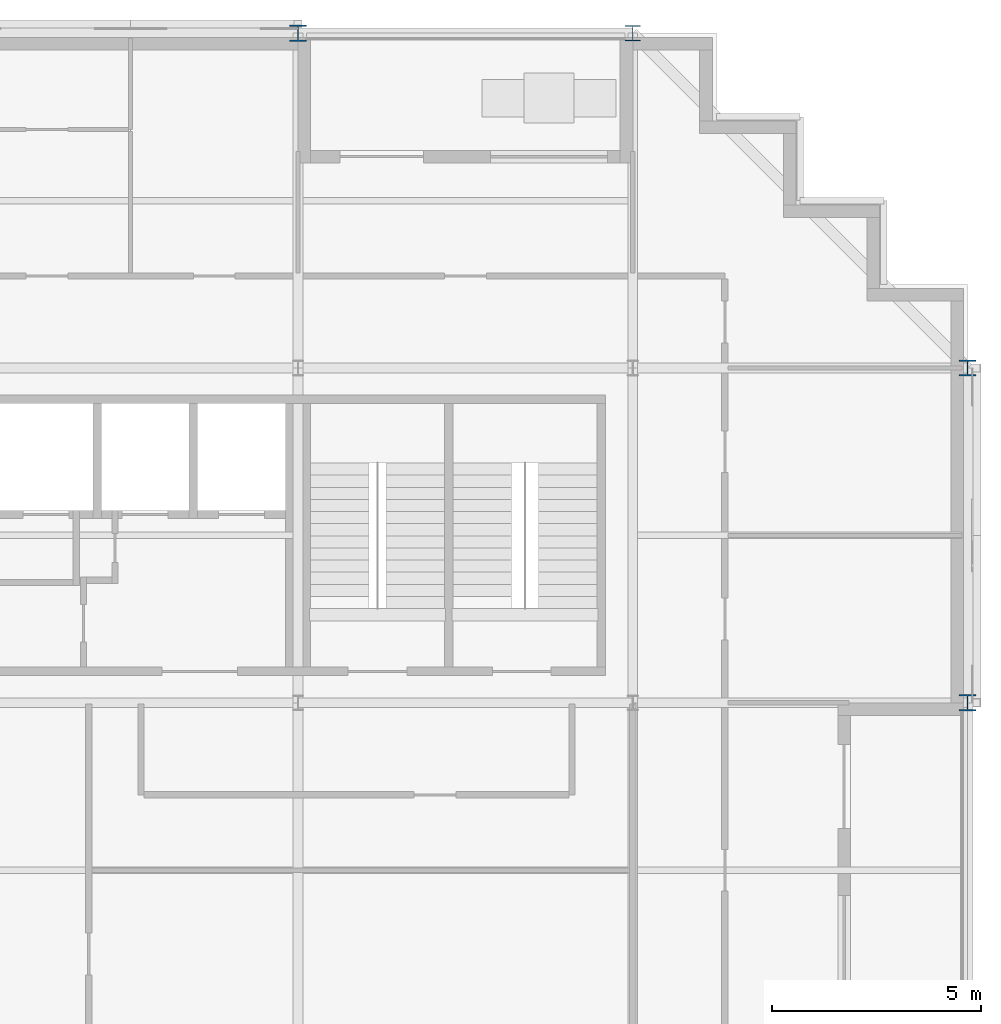
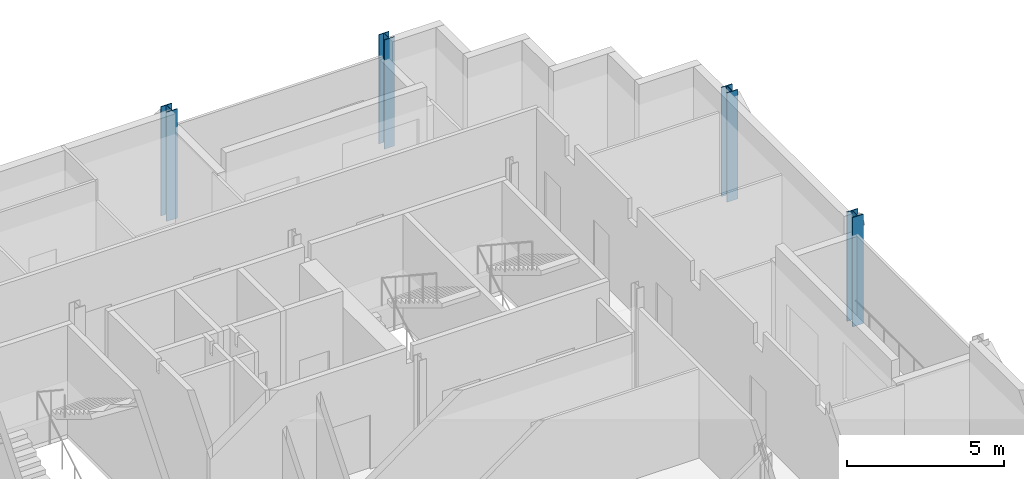
# One storey, part 3 of 15: 4 columns.
"""IFC4 building model written with IfcOpenShell, lengths in metres."""

from ifc_helpers import new_model, si_unit, direction, frame, origin, origin_2d, place, context, subcontext, project, spatial, i_section, extrude, material, material_profile, profile_set, type_object, element, save


model = new_model("IFC4")

# Units and contexts
model_context = context("Model", 3, precision=1e-05, world=origin(), true_north=direction((0.0, 1.0)))
body_context = subcontext(model_context, "Body", "Model", "MODEL_VIEW")
ifc_project = project(units=[si_unit("LENGTHUNIT", "METRE"), si_unit("AREAUNIT", "SQUARE_METRE"), si_unit("VOLUMEUNIT", "CUBIC_METRE"), si_unit("PLANEANGLEUNIT", "RADIAN"), si_unit("MASSUNIT", "GRAM", prefix="KILO")], contexts=[model_context])

# Site, building, storey
site_placement = place(None, origin())
site = spatial("IfcSite", under=ifc_project, at=site_placement, CompositionType="ELEMENT")
building_placement = place(site_placement, origin())
building = spatial("IfcBuilding", under=site, at=building_placement, Name="Immortelle Media Tower", CompositionType="ELEMENT")
storey_placement = place(building_placement, frame((0.0, 0.0, 100.800048828125)))
storey = spatial("IfcBuildingStorey", under=building, at=storey_placement, Name="L19", CompositionType="ELEMENT", Elevation=100.800048828125)

# Columns
ifc_material = material(Name="Steel ASTM A992 Gr 50", Category="steel")
ifc_material_profile_1 = material_profile(ifc_material, i_section(OverallWidth=0.373046875, OverallDepth=0.367919921875, WebThickness=0.014892578125, FlangeThickness=0.02392578125, at=origin_2d()), Name="W14x120")
ifc_profile_set_1 = profile_set([ifc_material_profile_1], Name="Steel ASTM A992 Gr 50")
column_type_1 = type_object("IfcColumnType", Name="W14x120 column", PredefinedType="COLUMN", material=ifc_profile_set_1)
column_placement = place(storey_placement, frame((40.0, 48.0, 0.0), z_axis=(0.0, 0.0, 1.0), x_axis=(1.0, 0.0, 0.0)))
element("IfcColumn", 1, at=column_placement, inside=storey, type_object=column_type_1, Name="Column 6/G", PredefinedType="COLUMN", context=body_context, shape_type="SweptSolid", body=[
    extrude(i_section(OverallWidth=0.373046875, OverallDepth=0.367919921875, WebThickness=0.014892578125, FlangeThickness=0.02392578125, at=origin_2d()), origin(), (0.0, 0.0, 1.0), 4.25),
])
ifc_material_profile_2 = material_profile(ifc_material, i_section(OverallWidth=0.39892578125, OverallDepth=0.385986328125, WebThickness=0.02099609375, FlangeThickness=0.032958984375, at=origin_2d()), Name="W14x176")
ifc_profile_set_2 = profile_set([ifc_material_profile_2], Name="Steel ASTM A992 Gr 50")
column_type_2 = type_object("IfcColumnType", Name="W14x176 column", PredefinedType="COLUMN", material=ifc_profile_set_2)
for number, where, z_axis, x_axis, name in (
    (2, (32.0, 48.0, 0.0), (0.0, 0.0, 1.0), (1.0, 0.0, 0.0), "Column 5/G"),
    (3, (48.0, 32.0, 0.0), (0.0, 0.0, 1.0), (1.0, 0.0, 0.0), "Column 7/E"),
    (4, (48.0, 40.0, 0.0), (0.0, 0.0, 1.0), (1.0, 0.0, 0.0), "Column 7/F"),
):
    element("IfcColumn", number, at=place(storey_placement, frame(where, z_axis=z_axis, x_axis=x_axis)), inside=storey, type_object=column_type_2, Name=name, PredefinedType="COLUMN", context=body_context, shape_type="SweptSolid", body=[
        extrude(i_section(OverallWidth=0.39892578125, OverallDepth=0.385986328125, WebThickness=0.02099609375, FlangeThickness=0.032958984375, at=origin_2d()), origin(), (0.0, 0.0, 1.0), 4.25),
    ])

save(model, "model.ifc")
